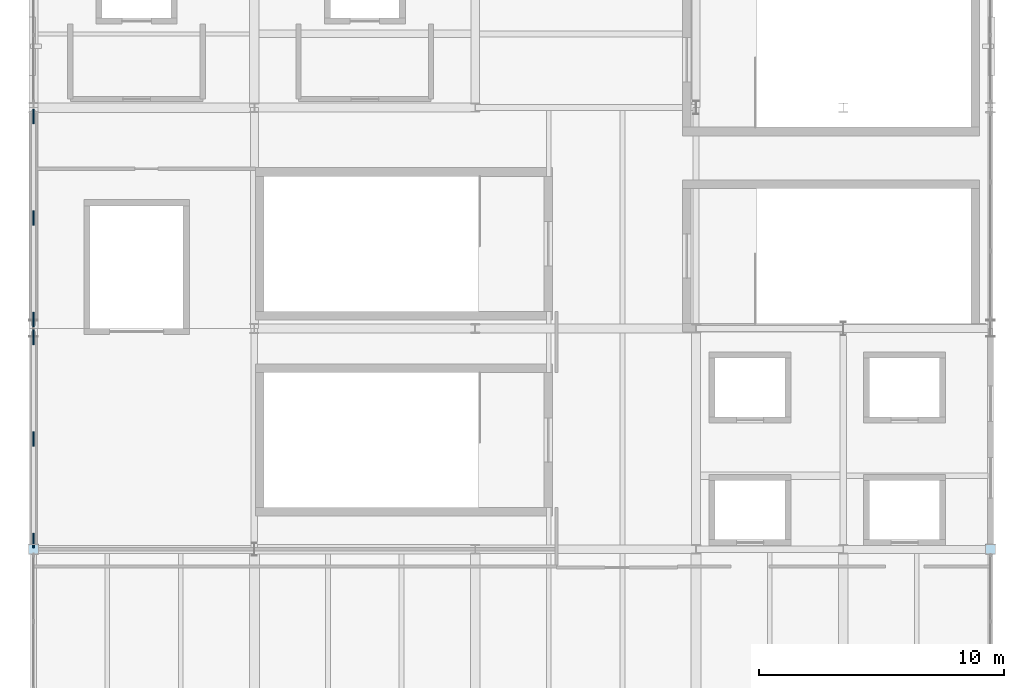
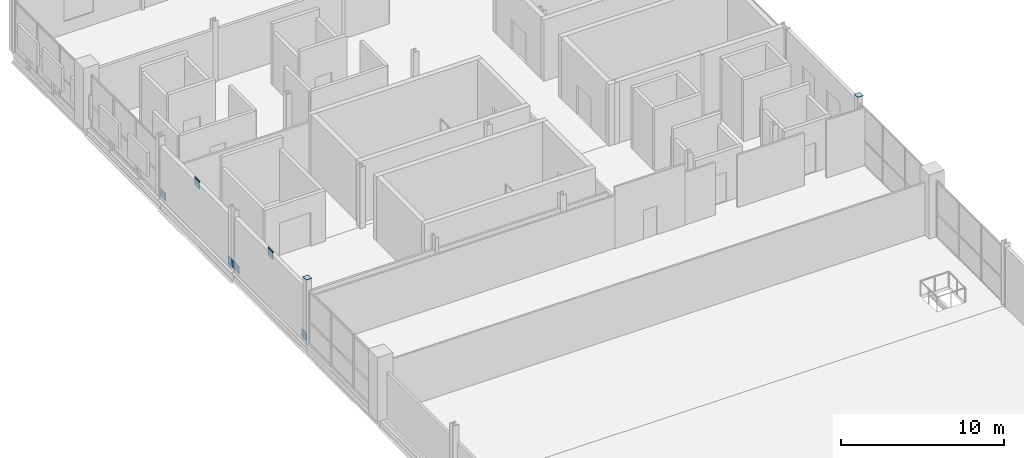
# One storey, part 23 of 29: 8 plates.
"""IFC4 building model written with IfcOpenShell, lengths in metres."""

from ifc_helpers import new_model, si_unit, direction, frame, origin, origin_2d, place, context, subcontext, project, spatial, rectangle, extrude, material, layer, layer_set, type_object, element, save


model = new_model("IFC4")

# Units and contexts
model_context = context("Model", 3, precision=1e-05, world=origin(), true_north=direction((0.0, 1.0)))
body_context = subcontext(model_context, "Body", "Model", "MODEL_VIEW")
ifc_project = project(units=[si_unit("LENGTHUNIT", "METRE"), si_unit("AREAUNIT", "SQUARE_METRE"), si_unit("VOLUMEUNIT", "CUBIC_METRE"), si_unit("PLANEANGLEUNIT", "RADIAN"), si_unit("MASSUNIT", "GRAM", prefix="KILO")], contexts=[model_context])

# Site, building, storey
site_placement = place(None, origin())
site = spatial("IfcSite", under=ifc_project, at=site_placement, CompositionType="ELEMENT")
building_placement = place(site_placement, origin())
building = spatial("IfcBuilding", under=site, at=building_placement, Name="Qamarlyn Nura Convention Centre", CompositionType="ELEMENT")
storey_placement = place(building_placement, frame((0.0, 0.0, 25.199951171875)))
storey = spatial("IfcBuildingStorey", under=building, at=storey_placement, Name="L05", CompositionType="ELEMENT", Elevation=25.199951171875)

# Plates
ifc_material = material(Name="Structural steel ASTM A572 Grade 50", Category="steel")
ifc_layer_1 = layer(ifc_material, 0.02490234375, Name="GP-CAP-25")
ifc_layer_set_1 = layer_set([ifc_layer_1], Name="Structural steel ASTM A572 Grade 50")
plate_type_1 = type_object("IfcPlateType", Name="GP-CAP-25", PredefinedType="USERDEFINED", material=ifc_layer_set_1)
for number, where, z_axis, x_axis, name in (
    (1, (153.0, 54.0, 4.800048828125), (0.0, 0.0, 1.0), (1.0, 0.0, 0.0), "L05 column welded end-cap plate 13/G"),
    (2, (192.0, 54.0, 4.800048828125), (0.0, 0.0, 1.0), (1.0, 0.0, 0.0), "L05 column welded end-cap plate 18/G"),
):
    element("IfcPlate", number, at=place(storey_placement, frame(where, z_axis=z_axis, x_axis=x_axis)), inside=storey, type_object=plate_type_1, Name=name, ObjectType="END CAP PLATE", PredefinedType="USERDEFINED", context=body_context, shape_type="SweptSolid", body=[
        extrude(rectangle(XDim=0.419921875, YDim=0.419921875, at=origin_2d()), origin(), (0.0, 0.0, 1.0), 0.02490234375),
    ])
ifc_layer_2 = layer(ifc_material, 0.044921875, Name="GP-TN1")
ifc_layer_set_2 = layer_set([ifc_layer_2], Name="Structural steel ASTM A572 Grade 50")
plate_type_2 = type_object("IfcPlateType", Name="GP-TN1", PredefinedType="USERDEFINED", material=ifc_layer_set_2)
for number, where, z_axis, x_axis, name in (
    (3, (153.0, 63.360107421875, 0.0), (0.0, 0.0, 1.0), (0.0, 1.0, 0.0), "SCBF chevron brace gusset plate CBF-E2-L05-A"),
    (4, (153.0, 71.639892578125, 0.0), (0.0, 0.0, 1.0), (0.0, 1.0, 0.0), "SCBF chevron brace gusset plate CBF-E2-L05-B"),
    (5, (153.0, 67.5, 3.410888671875), (0.0, 0.0, 1.0), (0.0, 1.0, 0.0), "SCBF chevron brace gusset plate CBF-E2-L05-M"),
    (6, (153.0, 54.360107421875, 0.0), (0.0, 0.0, 1.0), (0.0, 1.0, 0.0), "SCBF chevron brace gusset plate CBF-E3-L05-A"),
    (7, (153.0, 62.639892578125, 0.0), (0.0, 0.0, 1.0), (0.0, 1.0, 0.0), "SCBF chevron brace gusset plate CBF-E3-L05-B"),
    (8, (153.0, 58.5, 3.60498046875), (0.0, 0.0, 1.0), (0.0, 1.0, 0.0), "SCBF chevron brace gusset plate CBF-E3-L05-M"),
):
    element("IfcPlate", number, at=place(storey_placement, frame(where, z_axis=z_axis, x_axis=x_axis)), inside=storey, type_object=plate_type_2, Name=name, ObjectType="GUSSET PLATE", PredefinedType="USERDEFINED", context=body_context, shape_type="SweptSolid", body=[
        extrude(rectangle(XDim=0.60009765625, YDim=0.044921875, at=origin_2d()), origin(), (0.0, 0.0, 1.0), 0.60009765625),
    ])

save(model, "model.ifc")
